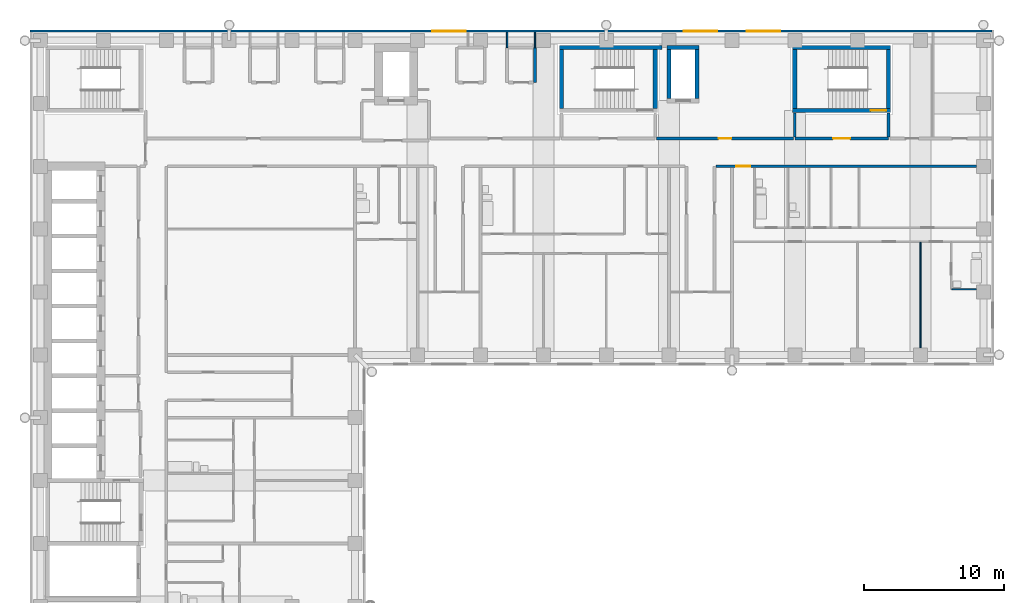
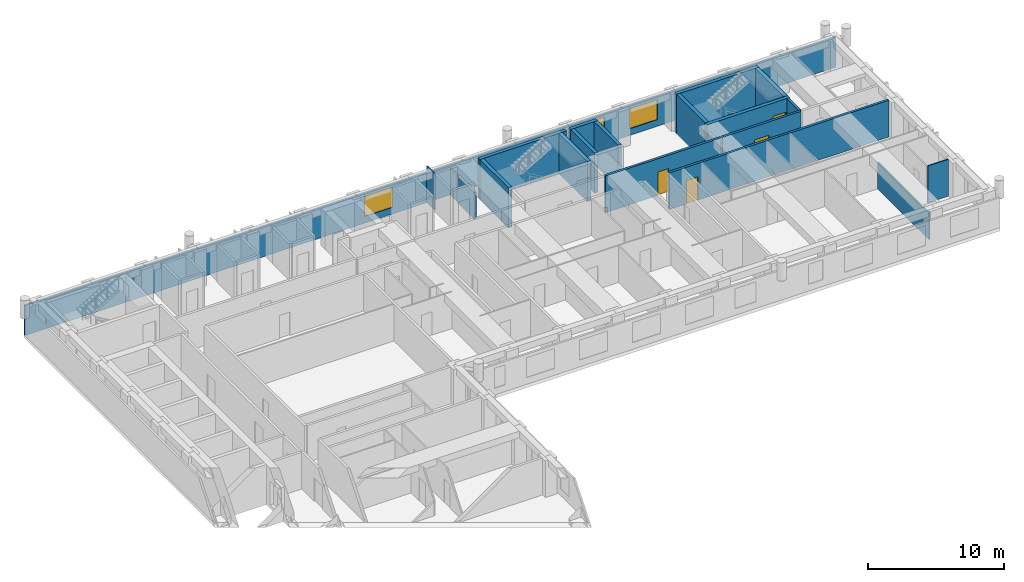
# One storey, part 11 of 15: 21 walls, 4 doors, 3 windows, 7 openings.
"""IFC4 building model written with IfcOpenShell, lengths in metres."""

from ifc_helpers import new_model, si_unit, direction, frame, frame_2d, origin, place, context, subcontext, project, spatial, rectangle, extrude, material, layer, layer_set, type_object, element, fill, save


model = new_model("IFC4")

# Units and contexts
model_context = context("Model", 3, precision=1e-05, world=origin(), true_north=direction((0.0, 1.0)))
body_context = subcontext(model_context, "Body", "Model", "MODEL_VIEW")
ifc_project = project(units=[si_unit("LENGTHUNIT", "METRE"), si_unit("AREAUNIT", "SQUARE_METRE"), si_unit("VOLUMEUNIT", "CUBIC_METRE"), si_unit("PLANEANGLEUNIT", "RADIAN"), si_unit("MASSUNIT", "GRAM", prefix="KILO")], contexts=[model_context])

# Site, building, storey
site_placement = place(None, origin())
site = spatial("IfcSite", under=ifc_project, at=site_placement, CompositionType="ELEMENT")
building_placement = place(site_placement, origin())
building = spatial("IfcBuilding", under=site, at=building_placement, Name="Firuza Court", CompositionType="ELEMENT")
storey_placement = place(building_placement, frame((0.0, 0.0, 137.60009765625)))
storey = spatial("IfcBuildingStorey", under=building, at=storey_placement, Name="L34", CompositionType="ELEMENT", Elevation=137.60009765625)

# Walls
ifc_material_1 = material(Name="Moisture-resistant gypsum board partition")
ifc_layer_1 = layer(ifc_material_1, 0.10009765625)
ifc_layer_set_1 = layer_set([ifc_layer_1], Name="Moisture-resistant gypsum board partition")
wall_type_1 = type_object("IfcWallType", Name="Bathroom partition 100", PredefinedType="PLUMBINGWALL", material=ifc_layer_set_1)
wall_1_placement = place(storey_placement, frame((65.25, 40.699951171875, 0.0), z_axis=(0.0, 0.0, 1.0), x_axis=(1.0, 0.0, 0.0)))
element("IfcWall", 1, at=wall_1_placement, inside=storey, type_object=wall_type_1, Name="Bathroom partition 100 L34", PredefinedType="PLUMBINGWALL", context=body_context, shape_type="SweptSolid", body=[
    extrude(rectangle(XDim=1.75, YDim=0.10009765625, at=frame_2d((0.875, 0.0))), origin(), (0.0, 0.0, 1.0), 3.2998046875),
])
ifc_material_2 = material(Name="Concrete C60/75", Category="concrete")
ifc_layer_2 = layer(ifc_material_2, 0.300048828125)
ifc_layer_set_2 = layer_set([ifc_layer_2], Name="Concrete C60/75")
wall_type_2 = type_object("IfcWallType", Name="Core wall 300 C60/75", PredefinedType="SHEAR", material=ifc_layer_set_2)
wall_2_placement = place(storey_placement, frame((37.14990234375, 58.0, -0.300048828125), z_axis=(0.0, 0.0, 1.0), x_axis=(1.0, 0.0, 0.0)))
element("IfcWall", 2, at=wall_2_placement, inside=storey, type_object=wall_type_2, Name="Core wall stair L34", PredefinedType="SHEAR", context=body_context, shape_type="SweptSolid", body=[
    extrude(rectangle(XDim=7.35009765625, YDim=0.300048828125, at=frame_2d((3.675048828125, 0.0))), origin(), (0.0, 0.0, 1.0), 3.599853515625),
])
for number, where, z_axis, x_axis, name in (
    (3, (37.300048828125, 53.64990234375, -0.300048828125), (0.0, 0.0, 1.0), (0.0, 1.0, 0.0), "Core wall stair L34"),
    (4, (44.0, 53.64990234375, -0.300048828125), (0.0, 0.0, 1.0), (0.0, 1.0, 0.0), "Core wall stair L34"),
):
    element("IfcWall", number, at=place(storey_placement, frame(where, z_axis=z_axis, x_axis=x_axis)), inside=storey, type_object=wall_type_2, Name=name, PredefinedType="SHEAR", context=body_context, shape_type="SweptSolid", body=[
        extrude(rectangle(XDim=4.2001953125, YDim=0.300048828125, at=frame_2d((2.10009765625, 0.0))), origin(), (0.0, 0.0, 1.0), 3.599853515625),
    ])
wall_3_placement = place(storey_placement, frame((44.85009765625, 58.0, -0.300048828125), z_axis=(0.0, 0.0, 1.0), x_axis=(1.0, 0.0, 0.0)))
element("IfcWall", 5, at=wall_3_placement, inside=storey, type_object=wall_type_2, Name="Core wall riser L34", PredefinedType="SHEAR", context=body_context, shape_type="SweptSolid", body=[
    extrude(rectangle(XDim=2.2998046875, YDim=0.300048828125, at=frame_2d((1.14990234375, 0.0))), origin(), (0.0, 0.0, 1.0), 3.599853515625),
])
for number, where, z_axis, x_axis, name in (
    (6, (45.0, 54.35009765625, -0.300048828125), (0.0, 0.0, 1.0), (0.0, 1.0, 0.0), "Core wall riser L34"),
    (7, (47.0, 54.35009765625, -0.300048828125), (0.0, 0.0, 1.0), (0.0, 1.0, 0.0), "Core wall riser L34"),
):
    element("IfcWall", number, at=place(storey_placement, frame(where, z_axis=z_axis, x_axis=x_axis)), inside=storey, type_object=wall_type_2, Name=name, PredefinedType="SHEAR", context=body_context, shape_type="SweptSolid", body=[
        extrude(rectangle(XDim=3.5, YDim=0.300048828125, at=frame_2d((1.75, 0.0))), origin(), (0.0, 0.0, 1.0), 3.599853515625),
    ])

# Wall, opening, door
wall_4_placement = place(storey_placement, frame((53.85009765625, 53.5, -0.300048828125), z_axis=(0.0, 0.0, 1.0), x_axis=(1.0, 0.0, 0.0)))
wall_4 = element("IfcWall", 8, at=wall_4_placement, inside=storey, type_object=wall_type_2, Name="Core wall stair L34", PredefinedType="SHEAR", context=body_context, shape_type="SweptSolid", body=[
    extrude(rectangle(XDim=7.0, YDim=0.300048828125, at=frame_2d((3.5, 0.0))), origin(), (0.0, 0.0, 1.0), 3.599853515625),
])
opening_1_placement = place(wall_4_placement, frame((5.580078125, 0.0, 0.300048828125)))
opening_1 = element("IfcOpeningElement", 9, at=opening_1_placement, cuts=wall_4, Name="Opening D34016", PredefinedType="OPENING", context=body_context, shape_type="SweptSolid", body=[
    extrude(rectangle(XDim=1.10009765625, YDim=2.10009765625, at=frame_2d((0.550048828125, 1.050048828125))), frame((0.0, 0.162109375, 0.0), z_axis=(0.0, -1.0, 0.0), x_axis=(1.0, 0.0, 0.0)), (0.0, 0.0, 1.0), 0.323974609375),
])
ifc_material_3 = material(Name="Timber door leaf in hardwood frame", Category="wood")
door_type_1 = type_object("IfcDoorType", Name="Stair door 1100", OperationType="SINGLE_SWING_LEFT", PredefinedType="DOOR", material=ifc_material_3)
door_1_placement = place(opening_1_placement, origin())
door_1 = element("IfcDoor", 10, at=door_1_placement, inside=storey, type_object=door_type_1, Name="Stair door S4", OperationType="SINGLE_SWING_RIGHT", OverallHeight=2.10009765625, OverallWidth=1.10009765625, PredefinedType="DOOR", context=body_context, shape_type="SweptSolid", body=[
    extrude(rectangle(XDim=1.10009765625, YDim=2.10009765625, at=frame_2d((0.550048828125, 1.050048828125))), frame((0.0, 0.02490234375, 0.0), z_axis=(0.0, -1.0, 0.0), x_axis=(1.0, 0.0, 0.0)), (0.0, 0.0, 1.0), 0.050048828125),
])
fill(opening_1, door_1)

# Walls
wall_5_placement = place(storey_placement, frame((53.85009765625, 58.0, -0.300048828125), z_axis=(0.0, 0.0, 1.0), x_axis=(1.0, 0.0, 0.0)))
element("IfcWall", 11, at=wall_5_placement, inside=storey, type_object=wall_type_2, Name="Core wall stair L34", PredefinedType="SHEAR", context=body_context, shape_type="SweptSolid", body=[
    extrude(rectangle(XDim=7.0, YDim=0.300048828125, at=frame_2d((3.5, 0.0))), origin(), (0.0, 0.0, 1.0), 3.599853515625),
])
for number, where, z_axis, x_axis, name in (
    (12, (54.0, 53.64990234375, -0.300048828125), (0.0, 0.0, 1.0), (0.0, 1.0, 0.0), "Core wall stair L34"),
    (13, (60.699951171875, 53.64990234375, -0.300048828125), (0.0, 0.0, 1.0), (0.0, 1.0, 0.0), "Core wall stair L34"),
):
    element("IfcWall", number, at=place(storey_placement, frame(where, z_axis=z_axis, x_axis=x_axis)), inside=storey, type_object=wall_type_2, Name=name, PredefinedType="SHEAR", context=body_context, shape_type="SweptSolid", body=[
        extrude(rectangle(XDim=4.2001953125, YDim=0.300048828125, at=frame_2d((2.10009765625, 0.0))), origin(), (0.0, 0.0, 1.0), 3.599853515625),
    ])

# Wall, opening, door
ifc_material_4 = material(Name="Blockwork, plastered both sides", Category="masonry")
ifc_layer_3 = layer(ifc_material_4, 0.199951171875)
ifc_layer_set_3 = layer_set([ifc_layer_3], Name="Blockwork, plastered both sides")
wall_type_3 = type_object("IfcWallType", Name="Corridor wall 200", PredefinedType="PARTITIONING", material=ifc_layer_set_3)
wall_6_placement = place(storey_placement, frame((48.35009765625, 49.5, 0.0), z_axis=(0.0, 0.0, 1.0), x_axis=(1.0, 0.0, 0.0)))
wall_6 = element("IfcWall", 14, at=wall_6_placement, inside=storey, type_object=wall_type_3, Name="Corridor wall 200 L34", PredefinedType="PARTITIONING", context=body_context, shape_type="SweptSolid", body=[
    extrude(rectangle(XDim=18.64990234375, YDim=0.199951171875, at=frame_2d((9.324951171875, 0.0))), origin(), (0.0, 0.0, 1.0), 3.2998046875),
])
opening_2_placement = place(wall_6_placement, frame((1.449951171875, 0.0, 0.0)))
opening_2 = element("IfcOpeningElement", 15, at=opening_2_placement, cuts=wall_6, Name="Opening D34066", PredefinedType="OPENING", context=body_context, shape_type="SweptSolid", body=[
    extrude(rectangle(XDim=1.0, YDim=2.10009765625, at=frame_2d((0.5, 1.050048828125))), frame((0.0, 0.11181640625, 0.0), z_axis=(0.0, -1.0, 0.0), x_axis=(1.0, 0.0, 0.0)), (0.0, 0.0, 1.0), 0.223876953125),
])
ifc_material_5 = material(Name="Timber door leaf in hardwood frame", Category="wood")
door_type_2 = type_object("IfcDoorType", Name="Flat entrance door 1000", OperationType="SINGLE_SWING_LEFT", PredefinedType="DOOR", material=ifc_material_5)
door_2_placement = place(opening_2_placement, origin())
door_2 = element("IfcDoor", 16, at=door_2_placement, inside=storey, type_object=door_type_2, Name="Flat entrance door", OperationType="SINGLE_SWING_LEFT", OverallHeight=2.10009765625, OverallWidth=1.0, PredefinedType="DOOR", context=body_context, shape_type="SweptSolid", body=[
    extrude(rectangle(XDim=1.0, YDim=2.10009765625, at=frame_2d((0.5, 1.050048828125))), frame((0.0, 0.02490234375, 0.0), z_axis=(0.0, -1.0, 0.0), x_axis=(1.0, 0.0, 0.0)), (0.0, 0.0, 1.0), 0.050048828125),
])
fill(opening_2, door_2)

wall_7_placement = place(storey_placement, frame((44.10009765625, 51.5, 0.0), z_axis=(0.0, 0.0, 1.0), x_axis=(1.0, 0.0, 0.0)))
wall_7 = element("IfcWall", 17, at=wall_7_placement, inside=storey, type_object=wall_type_3, Name="Corridor wall 200 L34", PredefinedType="PARTITIONING", context=body_context, shape_type="SweptSolid", body=[
    extrude(rectangle(XDim=9.7998046875, YDim=0.199951171875, at=frame_2d((4.89990234375, 0.0))), origin(), (0.0, 0.0, 1.0), 3.2998046875),
])
opening_3_placement = place(wall_7_placement, frame((4.449951171875, 0.0, 0.0)))
opening_3 = element("IfcOpeningElement", 18, at=opening_3_placement, cuts=wall_7, Name="Opening D34069", PredefinedType="OPENING", context=body_context, shape_type="SweptSolid", body=[
    extrude(rectangle(XDim=0.89990234375, YDim=2.10009765625, at=frame_2d((0.449951171875, 1.050048828125))), frame((0.0, 0.11181640625, 0.0), z_axis=(0.0, -1.0, 0.0), x_axis=(1.0, 0.0, 0.0)), (0.0, 0.0, 1.0), 0.223876953125),
])
ifc_material_6 = material(Name="Timber door leaf in hardwood frame", Category="wood")
door_type_3 = type_object("IfcDoorType", Name="Room door 900 EI 30", OperationType="SINGLE_SWING_LEFT", PredefinedType="DOOR", material=ifc_material_6)
door_3_placement = place(opening_3_placement, origin())
door_3 = element("IfcDoor", 19, at=door_3_placement, inside=storey, type_object=door_type_3, Name="Meeting room door", OperationType="SINGLE_SWING_LEFT", OverallHeight=2.10009765625, OverallWidth=0.89990234375, PredefinedType="DOOR", context=body_context, shape_type="SweptSolid", body=[
    extrude(rectangle(XDim=0.89990234375, YDim=2.10009765625, at=frame_2d((0.449951171875, 1.050048828125))), frame((0.0, 0.02490234375, 0.0), z_axis=(0.0, -1.0, 0.0), x_axis=(1.0, 0.0, 0.0)), (0.0, 0.0, 1.0), 0.050048828125),
])
fill(opening_3, door_3)

# Walls
ifc_material_7 = material(Name="Timber stud partition, plasterboard both sides", Category="wood")
ifc_layer_4 = layer(ifc_material_7, 0.10009765625)
ifc_layer_set_4 = layer_set([ifc_layer_4], Name="Timber stud partition, plasterboard both sides")
wall_type_4 = type_object("IfcWallType", Name="Partition wall 100", PredefinedType="PARTITIONING", material=ifc_layer_set_4)
wall_8_placement = place(storey_placement, frame((63.0, 36.5, 0.0), z_axis=(0.0, 0.0, 1.0), x_axis=(0.0, 1.0, 0.0)))
element("IfcWall", 20, at=wall_8_placement, inside=storey, type_object=wall_type_4, Name="Partition wall 100 L34", PredefinedType="PARTITIONING", context=body_context, shape_type="SweptSolid", body=[
    extrude(rectangle(XDim=7.550048828125, YDim=0.10009765625, at=frame_2d((3.77490234375, 0.0))), origin(), (0.0, 0.0, 1.0), 2.39990234375),
])
wall_9_placement = place(storey_placement, frame((33.39990234375, 58.0, 0.0), z_axis=(0.0, 0.0, 1.0), x_axis=(0.0, 1.0, 0.0)))
element("IfcWall", 21, at=wall_9_placement, inside=storey, type_object=wall_type_4, Name="Partition wall 100 L34", PredefinedType="PARTITIONING", context=body_context, shape_type="SweptSolid", body=[
    extrude(rectangle(XDim=1.10009765625, YDim=0.10009765625, at=frame_2d((0.550048828125, 0.0))), origin(), (0.0, 0.0, 1.0), 3.2998046875),
])
wall_10_placement = place(storey_placement, frame((35.39990234375, 58.0, 0.0), z_axis=(0.0, 0.0, 1.0), x_axis=(0.0, 1.0, 0.0)))
element("IfcWall", 22, at=wall_10_placement, inside=storey, type_object=wall_type_4, Name="Partition wall 100 L34", PredefinedType="PARTITIONING", context=body_context, shape_type="SweptSolid", body=[
    extrude(rectangle(XDim=1.10009765625, YDim=0.10009765625, at=frame_2d((0.550048828125, 0.0))), origin(), (0.0, 0.0, 1.0), 2.39990234375),
])
ifc_material_8 = material(Name="Blockwork, fire-rated", Category="masonry")
ifc_layer_5 = layer(ifc_material_8, 0.199951171875)
ifc_layer_set_5 = layer_set([ifc_layer_5], Name="Blockwork, fire-rated")
wall_type_5 = type_object("IfcWallType", Name="Plant room wall 200", PredefinedType="PARTITIONING", material=ifc_layer_set_5)
wall_11_placement = place(storey_placement, frame((35.39990234375, 55.5, 0.0), z_axis=(0.0, 0.0, 1.0), x_axis=(0.0, 1.0, 0.0)))
element("IfcWall", 23, at=wall_11_placement, inside=storey, type_object=wall_type_5, Name="Plant room wall 200 L34", PredefinedType="PARTITIONING", context=body_context, shape_type="SweptSolid", body=[
    extrude(rectangle(XDim=2.5, YDim=0.199951171875, at=frame_2d((1.25, 0.0))), origin(), (0.0, 0.0, 1.0), 2.39990234375),
])

# Wall, openings, windows
ifc_material_9 = material(Name="Ceramic tile", Category="ceramic")
ifc_layer_6 = layer(ifc_material_9, 0.02001953125)
ifc_material_10 = material(Name="Mineral wool insulation", Category="insulation")
ifc_layer_7 = layer(ifc_material_10, 0.050048828125)
ifc_material_11 = material(Name="Concrete C40/50 precast", Category="concrete")
ifc_layer_8 = layer(ifc_material_11, 0.080078125)
ifc_layer_set_6 = layer_set([ifc_layer_6, ifc_layer_7, ifc_layer_8], Name="Concrete C40/50 precast")
wall_type_6 = type_object("IfcWallType", Name="Precast cladding wall with turquoise TILE PANEL face 150", PredefinedType="STANDARD", material=ifc_layer_set_6)
wall_12_placement = place(storey_placement, frame((68.10009765625, 59.175048828125, 0.0), z_axis=(0.0, 0.0, 1.0), x_axis=(-1.0, 0.0, 0.0)))
wall_12 = element("IfcWall", 24, at=wall_12_placement, inside=storey, type_object=wall_type_6, Name="Facade wall L34 N", PredefinedType="STANDARD", context=body_context, shape_type="SweptSolid", body=[
    extrude(rectangle(XDim=68.85009765625, YDim=0.14990234375, at=frame_2d((34.425048828125, 0.0))), origin(), (0.0, 0.0, 1.0), 2.699951171875),
])
opening_4_placement = place(wall_12_placement, frame((15.14990234375, 0.0, 0.60009765625)))
opening_4 = element("IfcOpeningElement", 25, at=opening_4_placement, cuts=wall_12, Name="Opening W1", PredefinedType="OPENING", context=body_context, shape_type="SweptSolid", body=[
    extrude(rectangle(XDim=2.39990234375, YDim=1.800048828125, at=frame_2d((1.199951171875, 0.89990234375))), frame((0.0, 0.0869140625, 0.0), z_axis=(0.0, -1.0, 0.0), x_axis=(1.0, 0.0, 0.0)), (0.0, 0.0, 1.0), 0.173828125),
])
opening_5_placement = place(wall_12_placement, frame((19.64990234375, 0.0, 0.60009765625)))
opening_5 = element("IfcOpeningElement", 26, at=opening_5_placement, cuts=wall_12, Name="Opening W1", PredefinedType="OPENING", context=body_context, shape_type="SweptSolid", body=[
    extrude(rectangle(XDim=2.39990234375, YDim=1.800048828125, at=frame_2d((1.199951171875, 0.89990234375))), frame((0.0, 0.0869140625, 0.0), z_axis=(0.0, -1.0, 0.0), x_axis=(1.0, 0.0, 0.0)), (0.0, 0.0, 1.0), 0.173828125),
])
opening_6_placement = place(wall_12_placement, frame((37.64990234375, 0.0, 0.60009765625)))
opening_6 = element("IfcOpeningElement", 27, at=opening_6_placement, cuts=wall_12, Name="Opening W1", PredefinedType="OPENING", context=body_context, shape_type="SweptSolid", body=[
    extrude(rectangle(XDim=2.39990234375, YDim=1.800048828125, at=frame_2d((1.199951171875, 0.89990234375))), frame((0.0, 0.0869140625, 0.0), z_axis=(0.0, -1.0, 0.0), x_axis=(1.0, 0.0, 0.0)), (0.0, 0.0, 1.0), 0.173828125),
])
ifc_material_12 = material(Name="Aluminium frame, triple clear glazing", Category="aluminium")
window_type = type_object("IfcWindowType", Name="Window W1 2400 x 1800", PartitioningType="SINGLE_PANEL", PredefinedType="WINDOW", material=ifc_material_12)
window_1_placement = place(opening_4_placement, origin())
window_1 = element("IfcWindow", 28, at=window_1_placement, inside=storey, type_object=window_type, Name="Window L34", OverallHeight=1.800048828125, OverallWidth=2.39990234375, PartitioningType="SINGLE_PANEL", PredefinedType="WINDOW", context=body_context, shape_type="SweptSolid", body=[
    extrude(rectangle(XDim=2.39990234375, YDim=1.800048828125, at=frame_2d((1.199951171875, 0.89990234375))), frame((0.0, 0.030029296875, 0.0), z_axis=(0.0, -1.0, 0.0), x_axis=(1.0, 0.0, 0.0)), (0.0, 0.0, 1.0), 0.06005859375),
])
fill(opening_4, window_1)
window_2_placement = place(opening_5_placement, origin())
window_2 = element("IfcWindow", 29, at=window_2_placement, inside=storey, type_object=window_type, Name="Window L34", OverallHeight=1.800048828125, OverallWidth=2.39990234375, PartitioningType="SINGLE_PANEL", PredefinedType="WINDOW", context=body_context, shape_type="SweptSolid", body=[
    extrude(rectangle(XDim=2.39990234375, YDim=1.800048828125, at=frame_2d((1.199951171875, 0.89990234375))), frame((0.0, 0.030029296875, 0.0), z_axis=(0.0, -1.0, 0.0), x_axis=(1.0, 0.0, 0.0)), (0.0, 0.0, 1.0), 0.06005859375),
])
fill(opening_5, window_2)
window_3_placement = place(opening_6_placement, origin())
window_3 = element("IfcWindow", 30, at=window_3_placement, inside=storey, type_object=window_type, Name="Window L34", OverallHeight=1.800048828125, OverallWidth=2.39990234375, PartitioningType="SINGLE_PANEL", PredefinedType="WINDOW", context=body_context, shape_type="SweptSolid", body=[
    extrude(rectangle(XDim=2.39990234375, YDim=1.800048828125, at=frame_2d((1.199951171875, 0.89990234375))), frame((0.0, 0.030029296875, 0.0), z_axis=(0.0, -1.0, 0.0), x_axis=(1.0, 0.0, 0.0)), (0.0, 0.0, 1.0), 0.06005859375),
])
fill(opening_6, window_3)

# Wall, opening, door
ifc_layer_9 = layer(ifc_material_8, 0.199951171875)
ifc_layer_set_7 = layer_set([ifc_layer_9], Name="Blockwork, fire-rated")
wall_type_7 = type_object("IfcWallType", Name="Shaft wall 200", PredefinedType="PARTITIONING", material=ifc_layer_set_7)
wall_13_placement = place(storey_placement, frame((54.0, 51.5, 0.0), z_axis=(0.0, 0.0, 1.0), x_axis=(1.0, 0.0, 0.0)))
wall_13 = element("IfcWall", 31, at=wall_13_placement, inside=storey, type_object=wall_type_7, Name="Shaft wall 200 L34", PredefinedType="PARTITIONING", context=body_context, shape_type="SweptSolid", body=[
    extrude(rectangle(XDim=6.699951171875, YDim=0.199951171875, at=frame_2d((3.35009765625, 0.0))), origin(), (0.0, 0.0, 1.0), 3.2998046875),
])
opening_7_placement = place(wall_13_placement, frame((2.75, 0.0, 0.0)))
opening_7 = element("IfcOpeningElement", 32, at=opening_7_placement, cuts=wall_13, Name="Opening D34007", PredefinedType="OPENING", context=body_context, shape_type="SweptSolid", body=[
    extrude(rectangle(XDim=1.199951171875, YDim=2.10009765625, at=frame_2d((0.60009765625, 1.050048828125))), frame((0.0, 0.11181640625, 0.0), z_axis=(0.0, -1.0, 0.0), x_axis=(1.0, 0.0, 0.0)), (0.0, 0.0, 1.0), 0.223876953125),
])
ifc_material_13 = material(Name="Timber door leaf in hardwood frame", Category="wood")
door_type_4 = type_object("IfcDoorType", Name="Lobby door 1200", OperationType="SINGLE_SWING_LEFT", PredefinedType="DOOR", material=ifc_material_13)
door_4_placement = place(opening_7_placement, origin())
door_4 = element("IfcDoor", 33, at=door_4_placement, inside=storey, type_object=door_type_4, Name="Lobby door", OperationType="SINGLE_SWING_LEFT", OverallHeight=2.10009765625, OverallWidth=1.199951171875, PredefinedType="DOOR", context=body_context, shape_type="SweptSolid", body=[
    extrude(rectangle(XDim=1.199951171875, YDim=2.10009765625, at=frame_2d((0.60009765625, 1.050048828125))), frame((0.0, 0.02490234375, 0.0), z_axis=(0.0, -1.0, 0.0), x_axis=(1.0, 0.0, 0.0)), (0.0, 0.0, 1.0), 0.050048828125),
])
fill(opening_7, door_4)

# Walls
wall_14_placement = place(storey_placement, frame((60.699951171875, 51.60009765625, 0.0), z_axis=(0.0, 0.0, 1.0), x_axis=(0.0, 1.0, 0.0)))
element("IfcWall", 34, at=wall_14_placement, inside=storey, type_object=wall_type_7, Name="Shaft wall 200 L34", PredefinedType="PARTITIONING", context=body_context, shape_type="SweptSolid", body=[
    extrude(rectangle(XDim=1.72998046875, YDim=0.199951171875, at=frame_2d((0.864990234375, 0.0))), origin(), (0.0, 0.0, 1.0), 3.2998046875),
])
wall_15_placement = place(storey_placement, frame((54.0, 51.60009765625, 0.0), z_axis=(0.0, 0.0, 1.0), x_axis=(0.0, 1.0, 0.0)))
element("IfcWall", 35, at=wall_15_placement, inside=storey, type_object=wall_type_7, Name="Shaft wall 200 L34", PredefinedType="PARTITIONING", context=body_context, shape_type="SweptSolid", body=[
    extrude(rectangle(XDim=1.72998046875, YDim=0.199951171875, at=frame_2d((0.864990234375, 0.0))), origin(), (0.0, 0.0, 1.0), 2.599853515625),
])

save(model, "model.ifc")
